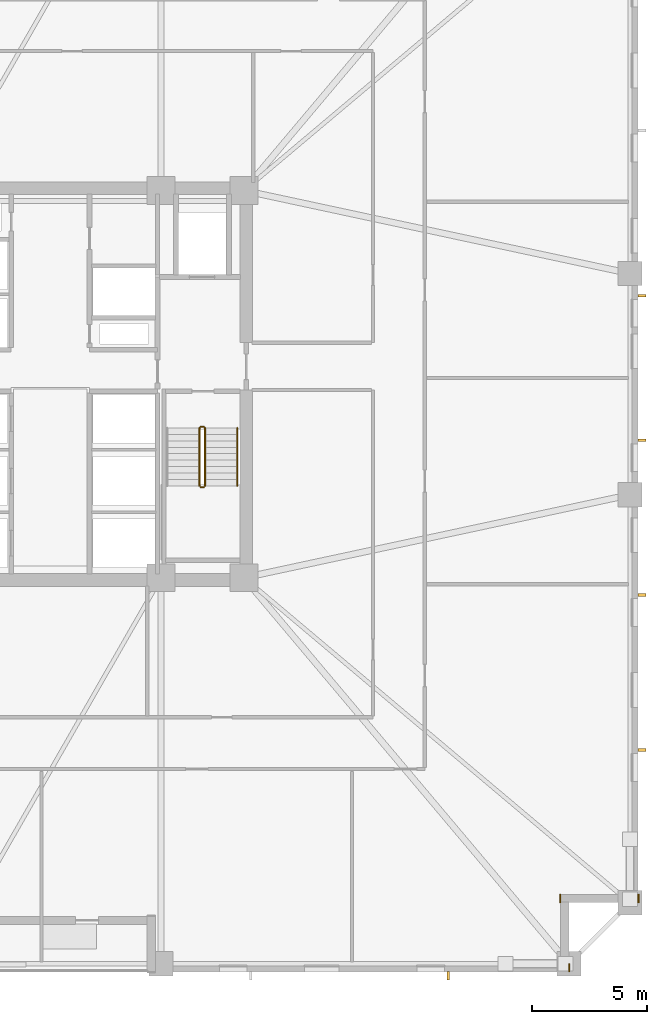
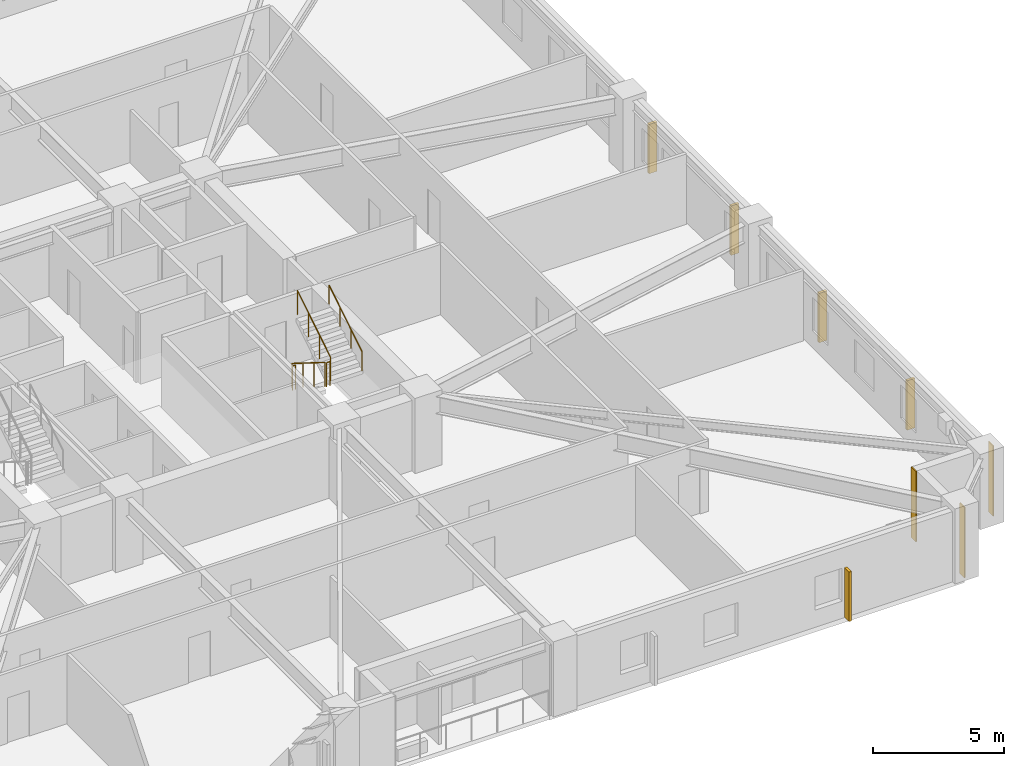
# One storey, part 9 of 11: 5 railings, 5 shading devices, 3 coverings.
"""IFC4 building model written with IfcOpenShell, lengths in metres."""

from ifc_helpers import new_model, si_unit, direction, frame, frame_2d, origin, origin_2d, place, context, subcontext, project, spatial, rectangle, circle, extrude, material, layer, layer_set, type_object, element, save


model = new_model("IFC4")

# Units and contexts
model_context = context("Model", 3, precision=1e-05, world=origin(), true_north=direction((0.0, 1.0)))
body_context = subcontext(model_context, "Body", "Model", "MODEL_VIEW")
ifc_project = project(units=[si_unit("LENGTHUNIT", "METRE"), si_unit("AREAUNIT", "SQUARE_METRE"), si_unit("VOLUMEUNIT", "CUBIC_METRE"), si_unit("PLANEANGLEUNIT", "RADIAN"), si_unit("MASSUNIT", "GRAM", prefix="KILO")], contexts=[model_context])

# Site, building, storey
site_placement = place(None, origin())
site = spatial("IfcSite", under=ifc_project, at=site_placement, CompositionType="ELEMENT")
building_placement = place(site_placement, origin())
building = spatial("IfcBuilding", under=site, at=building_placement, Name="Cairnveth Concourse Tower", CompositionType="ELEMENT")
storey_placement = place(building_placement, frame((0.0, 0.0, 41.0)))
storey = spatial("IfcBuildingStorey", under=building, at=storey_placement, Name="L10", CompositionType="ELEMENT", Elevation=41.0)

# Coverings
ifc_material_1 = material(Name="Dressed Melbourne Bluestone Cladding", Category="masonry")
ifc_layer = layer(ifc_material_1, 0.050048828125)
ifc_layer_set = layer_set([ifc_layer], Name="Dressed Melbourne Bluestone Cladding")
covering_type = type_object("IfcCoveringType", Name="DRESSED BLUESTONE PLINTH CLADDING 50", PredefinedType="CLADDING", material=ifc_layer_set)
for number, where, z_axis, x_axis, name in (
    (1, (77.52001953125, 16.860107421875, 0.0), (0.0, 0.0, 1.0), (0.0, -1.0, 0.0), "Melbourne Bluestone Corner Quoin L10-113"),
    (2, (74.1201171875, 16.860107421875, 0.0), (0.0, 0.0, 1.0), (0.0, -1.0, 0.0), "Melbourne Bluestone Corner Quoin L10-114"),
    (3, (74.52001953125, 13.860107421875, 0.0), (0.0, 0.0, 1.0), (0.0, -1.0, 0.0), "Melbourne Bluestone Corner Quoin L10-115"),
):
    element("IfcCovering", number, at=place(storey_placement, frame(where, z_axis=z_axis, x_axis=x_axis)), inside=storey, type_object=covering_type, Name=name, PredefinedType="CLADDING", context=body_context, shape_type="SweptSolid", body=[
        extrude(rectangle(XDim=0.360107421875, YDim=0.050048828125, at=frame_2d((0.18017578125, 0.0))), origin(), (0.0, 0.0, 1.0), 3.280029296875),
    ])

# Shading devices
ifc_material_2 = material(Name="Architectural Bronze Anodised Aluminium 6063-T6", Category="aluminium")
shading_device_type = type_object("IfcShadingDeviceType", Name="GOTHIC BRONZE VERTICAL LANCET FIN", PredefinedType="USERDEFINED", material=ifc_material_2)
for number, where, z_axis, x_axis, name in (
    (4, (77.675048828125, 42.839111328125, 0.02978515625), (0.0, 0.0, 1.0), (0.0, 1.0, 0.0), "Gothic Bronze Vertical Fin L10-9-5"),
    (5, (77.675048828125, 36.56884765625, 0.02978515625), (0.0, 0.0, 1.0), (0.0, 1.0, 0.0), "Gothic Bronze Vertical Fin L10-9-7"),
    (6, (77.675048828125, 29.848388671875, 0.02978515625), (0.0, 0.0, 1.0), (0.0, 1.0, 0.0), "Gothic Bronze Vertical Fin L10-9-9"),
    (7, (77.675048828125, 23.128173828125, 0.02978515625), (0.0, 0.0, 1.0), (0.0, 1.0, 0.0), "Gothic Bronze Vertical Fin L10-9-11"),
    (8, (69.266357421875, 13.324951171875, 0.02978515625), (0.0, 0.0, 1.0), (1.0, 0.0, 0.0), "Gothic Bronze Vertical Fin L10-12-1"),
):
    element("IfcShadingDevice", number, at=place(storey_placement, frame(where, z_axis=z_axis, x_axis=x_axis)), inside=storey, type_object=shading_device_type, Name=name, ObjectType="VERTICAL FIN", PredefinedType="USERDEFINED", context=body_context, shape_type="SweptSolid", body=[
        extrude(rectangle(XDim=0.1201171875, YDim=0.360107421875, at=origin_2d()), origin(), (0.0, 0.0, 1.0), 2.303955078125),
    ])

# Railings
ifc_material_3 = material(Name="Steel Grade 350", Category="steel")
railing_type_1 = type_object("IfcRailingType", Name="STAIR GUARDRAIL 1150", PredefinedType="GUARDRAIL", material=ifc_material_3)
railing_1_placement = place(storey_placement, frame((58.469970703125, 37.10009765625, 0.175048828125)))
element("IfcRailing", 9, at=railing_1_placement, inside=storey, type_object=railing_type_1, Name="L10 ST-2 stair guard 1", PredefinedType="GUARDRAIL", context=body_context, shape_type="SweptSolid", body=[
    extrude(circle(Radius=0.02392578125, at=origin_2d()), frame((0.0, 0.0, 1.1259765625), z_axis=(0.0, -0.848007534815, 0.529984170421), x_axis=(1.0, 0.0, 0.0)), (0.0, 0.0, 1.0), 2.9716796875),
    extrude(circle(Radius=0.02099609375, at=origin_2d()), origin(), (0.0, 0.0, 1.0), 1.101806640625),
    extrude(circle(Radius=0.02099609375, at=origin_2d()), frame((0.0, -0.840087890625, 0.52490234375)), (0.0, 0.0, 1.0), 1.101806640625),
    extrude(circle(Radius=0.02099609375, at=origin_2d()), frame((0.0, -1.679931640625, 1.050048828125)), (0.0, 0.0, 1.0), 1.101806640625),
    extrude(circle(Radius=0.02099609375, at=origin_2d()), frame((0.0, -2.52001953125, 1.574951171875)), (0.0, 0.0, 1.0), 1.101806640625),
])
railing_2_placement = place(storey_placement, frame((58.52001953125, 34.530029296875, 1.75)))
element("IfcRailing", 10, at=railing_2_placement, inside=storey, type_object=railing_type_1, Name="L10 ST-2 stair guard 2", PredefinedType="GUARDRAIL", context=body_context, shape_type="SweptSolid", body=[
    extrude(circle(Radius=0.02392578125, at=origin_2d()), frame((0.0, 0.0, 1.1259765625), z_axis=(1.0, 0.0, 0.0), x_axis=(0.0, 1.0, 0.0)), (0.0, 0.0, 1.0), 0.139892578125),
    extrude(circle(Radius=0.02099609375, at=origin_2d()), origin(), (0.0, 0.0, 1.0), 1.101806640625),
    extrude(circle(Radius=0.02099609375, at=origin_2d()), frame((0.139892578125, 0.0, 0.0)), (0.0, 0.0, 1.0), 1.101806640625),
])
railing_3_placement = place(storey_placement, frame((58.7099609375, 34.580078125, 1.925048828125)))
element("IfcRailing", 11, at=railing_3_placement, inside=storey, type_object=railing_type_1, Name="L10 ST-2 stair guard 3", PredefinedType="GUARDRAIL", context=body_context, shape_type="SweptSolid", body=[
    extrude(circle(Radius=0.02392578125, at=origin_2d()), frame((0.0, 0.0, 1.1259765625), z_axis=(0.0, 0.848007534815, 0.529984170421), x_axis=(-1.0, 0.0, 0.0)), (0.0, 0.0, 1.0), 2.9716796875),
    extrude(circle(Radius=0.02099609375, at=origin_2d()), origin(), (0.0, 0.0, 1.0), 1.101806640625),
    extrude(circle(Radius=0.02099609375, at=origin_2d()), frame((0.0, 0.840087890625, 0.52490234375)), (0.0, 0.0, 1.0), 1.101806640625),
    extrude(circle(Radius=0.02099609375, at=origin_2d()), frame((0.0, 1.679931640625, 1.050048828125)), (0.0, 0.0, 1.0), 1.101806640625),
    extrude(circle(Radius=0.02099609375, at=origin_2d()), frame((0.0, 2.52001953125, 1.574951171875)), (0.0, 0.0, 1.0), 1.101806640625),
])
railing_4_placement = place(storey_placement, frame((58.52001953125, 37.14990234375, 0.0)))
element("IfcRailing", 12, at=railing_4_placement, inside=storey, type_object=railing_type_1, Name="L10 ST-2 stair guard 4", PredefinedType="GUARDRAIL", context=body_context, shape_type="SweptSolid", body=[
    extrude(circle(Radius=0.02392578125, at=origin_2d()), frame((0.0, 0.0, 1.1259765625), z_axis=(1.0, 0.0, 0.0), x_axis=(0.0, 1.0, 0.0)), (0.0, 0.0, 1.0), 0.139892578125),
    extrude(circle(Radius=0.02099609375, at=origin_2d()), origin(), (0.0, 0.0, 1.0), 1.101806640625),
    extrude(circle(Radius=0.02099609375, at=origin_2d()), frame((0.139892578125, 0.0, 0.0)), (0.0, 0.0, 1.0), 1.101806640625),
])
railing_type_2 = type_object("IfcRailingType", Name="STAIR WALL HANDRAIL 900", PredefinedType="HANDRAIL", material=ifc_material_3)
railing_5_placement = place(storey_placement, frame((60.110107421875, 34.580078125, 1.925048828125)))
element("IfcRailing", 13, at=railing_5_placement, inside=storey, type_object=railing_type_2, Name="L10 ST-2 stair handrail 2", PredefinedType="HANDRAIL", context=body_context, shape_type="SweptSolid", body=[
    extrude(circle(Radius=0.02392578125, at=origin_2d()), frame((0.0, 0.0, 0.8759765625), z_axis=(0.0, 0.848007534815, 0.529984170421), x_axis=(-1.0, 0.0, 0.0)), (0.0, 0.0, 1.0), 2.9716796875),
    extrude(circle(Radius=0.02099609375, at=origin_2d()), origin(), (0.0, 0.0, 1.0), 0.851806640625),
    extrude(circle(Radius=0.02099609375, at=origin_2d()), frame((0.0, 0.840087890625, 0.52490234375)), (0.0, 0.0, 1.0), 0.851806640625),
    extrude(circle(Radius=0.02099609375, at=origin_2d()), frame((0.0, 1.679931640625, 1.050048828125)), (0.0, 0.0, 1.0), 0.851806640625),
    extrude(circle(Radius=0.02099609375, at=origin_2d()), frame((0.0, 2.52001953125, 1.574951171875)), (0.0, 0.0, 1.0), 0.851806640625),
])

save(model, "model.ifc")
